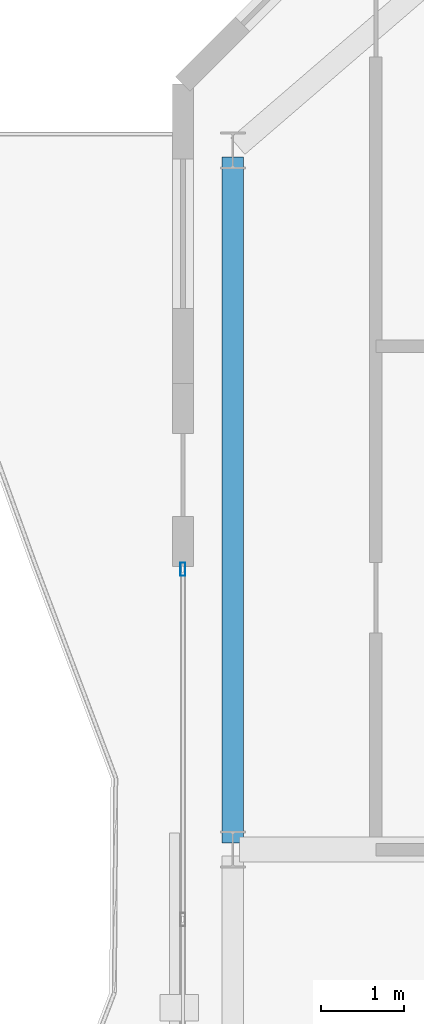
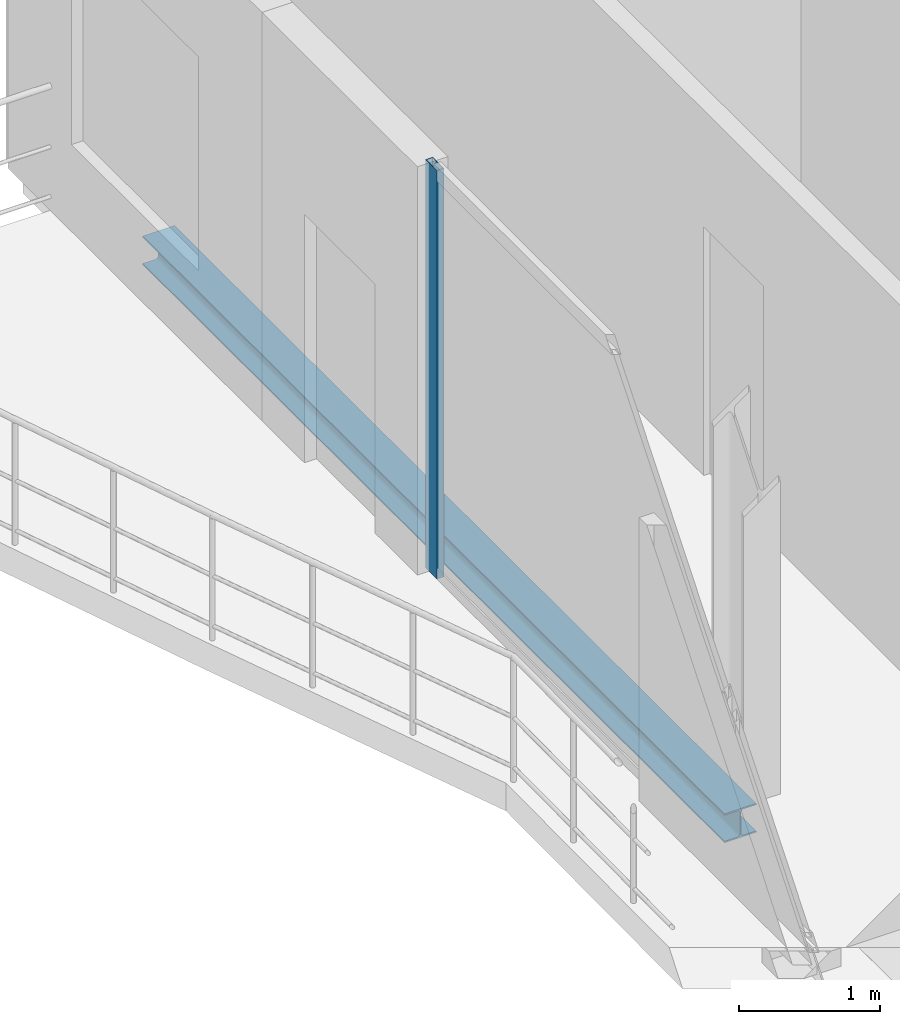
# One storey, part 12 of 23: 1 beam, 1 member, 1 element without a shape of its own.
"""IFC4 building model written with IfcOpenShell, lengths in metres."""

from ifc_helpers import new_model, si_unit, direction, frame, origin, origin_2d, place, context, subcontext, project, spatial, hollow_rectangle, i_section, extrude, material, layer, layer_set, material_profile, profile_set, type_object, element, aggregate, save


model = new_model("IFC4")

# Units and contexts
model_context = context("Model", 3, precision=1e-05, world=origin(), true_north=direction((0.0, 1.0)))
body_context = subcontext(model_context, "Body", "Model", "MODEL_VIEW")
ifc_project = project(units=[si_unit("LENGTHUNIT", "METRE"), si_unit("AREAUNIT", "SQUARE_METRE"), si_unit("VOLUMEUNIT", "CUBIC_METRE"), si_unit("PLANEANGLEUNIT", "RADIAN"), si_unit("MASSUNIT", "GRAM", prefix="KILO")], contexts=[model_context])

# Site, building, storey
site_placement = place(None, origin())
site = spatial("IfcSite", under=ifc_project, at=site_placement, CompositionType="ELEMENT")
building_placement = place(site_placement, origin())
building = spatial("IfcBuilding", under=site, at=building_placement, Name="Catumbela Crestline Tower", CompositionType="ELEMENT")
storey_placement = place(building_placement, frame((0.0, 0.0, 245.0)))
storey = spatial("IfcBuildingStorey", under=building, at=storey_placement, Name="L63", CompositionType="ELEMENT", Elevation=245.0)

# Curtain wall, member
ifc_material_1 = material(Name="Aluminium alloy AW-6060-T66", Category="aluminium")
ifc_layer = layer(ifc_material_1, 0.18, Name="Aluminium alloy AW-6060-T66")
ifc_layer_set = layer_set([ifc_layer], Name="Aluminium alloy AW-6060-T66")
curtain_wall_type = type_object("IfcCurtainWallType", Name="CWU-Z4", PredefinedType="USERDEFINED", material=ifc_layer_set)
curtain_wall_placement = place(storey_placement, origin())
curtain_wall = element("IfcCurtainWall", 1, at=curtain_wall_placement, inside=storey, type_object=curtain_wall_type, Name="L63 Unitised Curtain Wall CW-L63-E9S2", ObjectType="UNITISED", PredefinedType="USERDEFINED")
ifc_material_profile_1 = material_profile(ifc_material_1, hollow_rectangle(XDim=0.06, YDim=0.16, WallThickness=0.004, at=origin_2d()), Name="ALU 160x60x4")
ifc_profile_set_1 = profile_set([ifc_material_profile_1], Name="Aluminium alloy AW-6060-T66")
member_type = type_object("IfcMemberType", Name="MUL-160X60", PredefinedType="MULLION", material=ifc_profile_set_1)
member_placement = place(storey_placement, frame((5.0, 34.1675, 0.0), z_axis=(0.0, 0.0, 1.0), x_axis=(1.0, 0.0, 0.0)))
member = element("IfcMember", 2, at=member_placement, type_object=member_type, Name="CWU-Z4 mullion 1", PredefinedType="MULLION", context=body_context, shape_type="SweptSolid", body=[
    extrude(hollow_rectangle(XDim=0.06, YDim=0.16, WallThickness=0.004, at=origin_2d()), origin(), (0.0, 0.0, 1.0), 3.53),
])
aggregate(curtain_wall, [member])

# Beam
ifc_material_2 = material(Name="Structural steel S355J2", Category="steel")
ifc_material_profile_2 = material_profile(ifc_material_2, i_section(OverallWidth=0.26, OverallDepth=0.25, WebThickness=0.0075, FlangeThickness=0.0125, FilletRadius=0.024, at=origin_2d()), Name="HEA 260")
ifc_profile_set_2 = profile_set([ifc_material_profile_2], Name="Structural steel S355J2")
beam_type = type_object("IfcBeamType", Name="BS-HEA260", PredefinedType="SPANDREL", material=ifc_profile_set_2)
beam_placement = place(storey_placement, frame((5.6, 30.88, -0.385), z_axis=(0.0, 1.0, 0.0), x_axis=(-1.0, 0.0, 0.0)))
element("IfcBeam", 3, at=beam_placement, inside=storey, type_object=beam_type, Name="L63 Spandrel SP-L63-SN13", PredefinedType="SPANDREL", context=body_context, shape_type="SweptSolid", body=[
    extrude(i_section(OverallWidth=0.26, OverallDepth=0.25, WebThickness=0.0075, FlangeThickness=0.0125, FilletRadius=0.024, at=origin_2d()), origin(), (0.0, 0.0, 1.0), 8.24),
])

save(model, "model.ifc")
